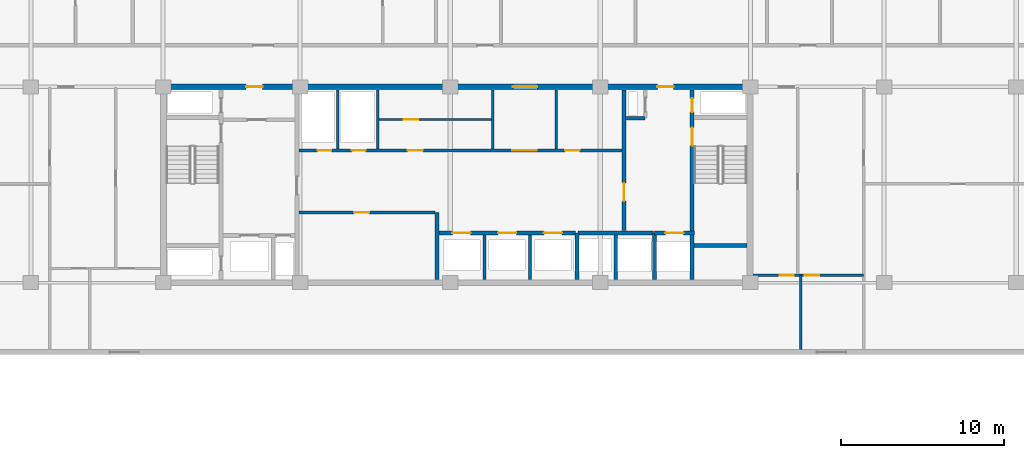
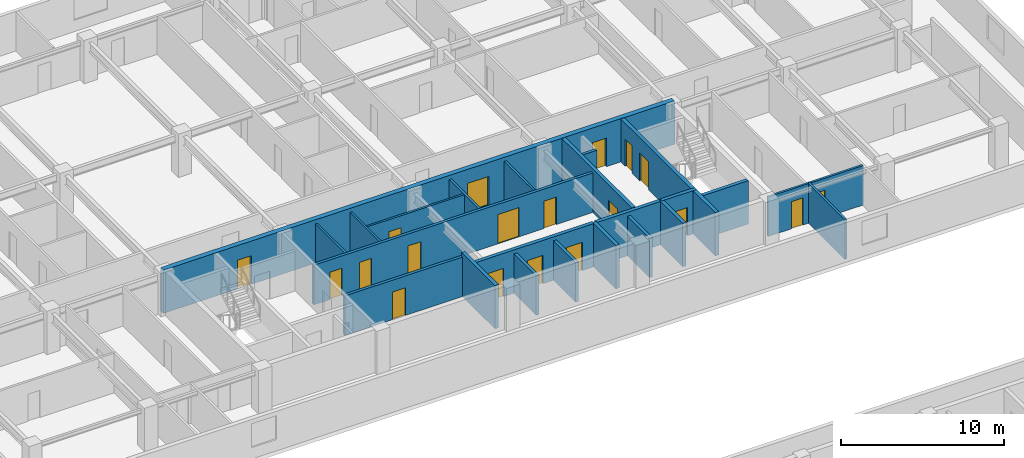
# One storey, part 12 of 22: 23 walls, 19 doors, 19 openings.
"""IFC4 building model written with IfcOpenShell, lengths in metres."""

from ifc_helpers import new_model, si_unit, direction, frame, frame_2d, origin, place, context, subcontext, project, spatial, rectangle, extrude, material, layer, layer_set, type_object, element, fill, save


model = new_model("IFC4")

# Units and contexts
model_context = context("Model", 3, precision=1e-05, world=origin(), true_north=direction((0.0, 1.0)))
body_context = subcontext(model_context, "Body", "Model", "MODEL_VIEW")
ifc_project = project(units=[si_unit("LENGTHUNIT", "METRE"), si_unit("AREAUNIT", "SQUARE_METRE"), si_unit("VOLUMEUNIT", "CUBIC_METRE"), si_unit("PLANEANGLEUNIT", "RADIAN"), si_unit("MASSUNIT", "GRAM", prefix="KILO")], contexts=[model_context])

# Site, building, storey
site_placement = place(None, origin())
site = spatial("IfcSite", under=ifc_project, at=site_placement, CompositionType="ELEMENT")
building_placement = place(site_placement, origin())
building = spatial("IfcBuilding", under=site, at=building_placement, Name="Korimba Cascade Residences", CompositionType="ELEMENT")
storey_placement = place(building_placement, frame((0.0, 0.0, 132.800048828125)))
storey = spatial("IfcBuildingStorey", under=building, at=storey_placement, Name="L38", CompositionType="ELEMENT", Elevation=132.800048828125)

# Wall, openings, doors
ifc_material_1 = material(Name="Concrete C65/80", Category="concrete")
ifc_layer_1 = layer(ifc_material_1, 0.35009765625)
ifc_layer_set_1 = layer_set([ifc_layer_1], Name="Concrete C65/80")
wall_type_1 = type_object("IfcWallType", Name="WAL-CORE-350", PredefinedType="SHEAR", material=ifc_layer_set_1)
wall_1_placement = place(storey_placement, frame((75.949951171875, 67.199951171875, 0.0), z_axis=(0.0, 0.0, 1.0), x_axis=(1.0, 0.0, 0.0)))
wall_1 = element("IfcWall", 1, at=wall_1_placement, inside=storey, type_object=wall_type_1, Name="L38 Core Shear Wall CW-L38-T1-N", PredefinedType="SHEAR", context=body_context, shape_type="SweptSolid", body=[
    extrude(rectangle(XDim=36.300048828125, YDim=0.35009765625, at=frame_2d((18.14990234375, 0.0))), origin(), (0.0, 0.0, 1.0), 3.25),
])
opening_1_placement = place(wall_1_placement, frame((5.25, 0.0, 0.0)))
opening_1 = element("IfcOpeningElement", 2, at=opening_1_placement, cuts=wall_1, Name="Opening D-FD5", PredefinedType="OPENING", context=body_context, shape_type="SweptSolid", body=[
    extrude(rectangle(XDim=1.0, YDim=2.14990234375, at=frame_2d((0.5, 1.074951171875))), frame((0.0, 0.18505859375, 0.0), z_axis=(0.0, -1.0, 0.0), x_axis=(1.0, 0.0, 0.0)), (0.0, 0.0, 1.0), 0.3701171875),
])
opening_2_placement = place(wall_1_placement, frame((21.60009765625, 0.0, 0.0)))
opening_2 = element("IfcOpeningElement", 3, at=opening_2_placement, cuts=wall_1, Name="Opening D-FD8", PredefinedType="OPENING", context=body_context, shape_type="SweptSolid", body=[
    extrude(rectangle(XDim=1.5, YDim=2.199951171875, at=frame_2d((0.75, 1.10009765625))), frame((0.0, 0.18505859375, 0.0), z_axis=(0.0, -1.0, 0.0), x_axis=(1.0, 0.0, 0.0)), (0.0, 0.0, 1.0), 0.3701171875),
])
opening_3_placement = place(wall_1_placement, frame((30.449951171875, 0.0, 0.0)))
opening_3 = element("IfcOpeningElement", 4, at=opening_3_placement, cuts=wall_1, Name="Opening D-FD5", PredefinedType="OPENING", context=body_context, shape_type="SweptSolid", body=[
    extrude(rectangle(XDim=1.0, YDim=2.14990234375, at=frame_2d((0.5, 1.074951171875))), frame((0.0, 0.18505859375, 0.0), z_axis=(0.0, -1.0, 0.0), x_axis=(1.0, 0.0, 0.0)), (0.0, 0.0, 1.0), 0.3701171875),
])
ifc_material_2 = material(Name="Fire-Rated Acoustic Timber Vestibule Door", Category="wood")
door_type_1 = type_object("IfcDoorType", Name="DR-FD90-1000", OperationType="NOTDEFINED", PredefinedType="DOOR", material=ifc_material_2)
door_1_placement = place(opening_1_placement, origin())
door_1 = element("IfcDoor", 5, at=door_1_placement, inside=storey, type_object=door_type_1, Name="L38 T1 West Core Vestibule Fire Door", OperationType="SINGLE_SWING_RIGHT", OverallHeight=2.14990234375, OverallWidth=1.0, PredefinedType="DOOR", context=body_context, shape_type="SweptSolid", body=[
    extrude(rectangle(XDim=1.0, YDim=2.14990234375, at=frame_2d((0.5, 1.074951171875))), frame((0.0, 0.02490234375, 0.0), z_axis=(0.0, -1.0, 0.0), x_axis=(1.0, 0.0, 0.0)), (0.0, 0.0, 1.0), 0.050048828125),
])
fill(opening_1, door_1)
door_2_placement = place(opening_3_placement, origin())
door_2 = element("IfcDoor", 6, at=door_2_placement, inside=storey, type_object=door_type_1, Name="L38 T1 East Firefighting Vestibule Fire Door", OperationType="SINGLE_SWING_LEFT", OverallHeight=2.14990234375, OverallWidth=1.0, PredefinedType="DOOR", context=body_context, shape_type="SweptSolid", body=[
    extrude(rectangle(XDim=1.0, YDim=2.14990234375, at=frame_2d((0.5, 1.074951171875))), frame((0.0, 0.02490234375, 0.0), z_axis=(0.0, -1.0, 0.0), x_axis=(1.0, 0.0, 0.0)), (0.0, 0.0, 1.0), 0.050048828125),
])
fill(opening_3, door_2)
ifc_material_3 = material(Name="Fire-Rated Glazed Lift Lobby Double Door", Category="glass")
door_type_2 = type_object("IfcDoorType", Name="DR-FD90-1500", OperationType="NOTDEFINED", PredefinedType="DOOR", material=ifc_material_3)
door_3_placement = place(opening_2_placement, origin())
door_3 = element("IfcDoor", 7, at=door_3_placement, inside=storey, type_object=door_type_2, Name="L38 T1 Lift Lobby Fire Door", OperationType="DOUBLE_DOOR_SINGLE_SWING", OverallHeight=2.199951171875, OverallWidth=1.5, PredefinedType="DOOR", context=body_context, shape_type="SweptSolid", body=[
    extrude(rectangle(XDim=1.5, YDim=2.199951171875, at=frame_2d((0.75, 1.10009765625))), frame((0.0, 0.02490234375, 0.0), z_axis=(0.0, -1.0, 0.0), x_axis=(1.0, 0.0, 0.0)), (0.0, 0.0, 1.0), 0.050048828125),
])
fill(opening_2, door_3)

# Walls
ifc_material_4 = material(Name="Insulated Acoustic Stud Partition", Category="gypsum")
ifc_layer_2 = layer(ifc_material_4, 0.14990234375)
ifc_layer_set_2 = layer_set([ifc_layer_2], Name="Insulated Acoustic Stud Partition")
wall_type_2 = type_object("IfcWallType", Name="WAL-PART-150", PredefinedType="PARTITIONING", material=ifc_layer_set_2)
for number, where, z_axis, x_axis, name in (
    (8, (86.800048828125, 63.39990234375, 0.0), (0.0, 0.0, 1.0), (0.0, 1.0, 0.0), "L38 Partition Wall CW-L38-T1-ERDIV"),
    (9, (89.25, 63.39990234375, 0.0), (0.0, 0.0, 1.0), (0.0, 1.0, 0.0), "L38 Partition Wall CW-L38-T1-PRDIV"),
):
    element("IfcWall", number, at=place(storey_placement, frame(where, z_axis=z_axis, x_axis=x_axis)), inside=storey, type_object=wall_type_2, Name=name, PredefinedType="PARTITIONING", context=body_context, shape_type="SweptSolid", body=[
        extrude(rectangle(XDim=3.60009765625, YDim=0.14990234375, at=frame_2d((1.800048828125, 0.0))), origin(), (0.0, 0.0, 1.0), 2.969970703125),
    ])

# Wall, opening, door
wall_2_placement = place(storey_placement, frame((89.25, 65.199951171875, 0.0), z_axis=(0.0, 0.0, 1.0), x_axis=(1.0, 0.0, 0.0)))
wall_2 = element("IfcWall", 10, at=wall_2_placement, inside=storey, type_object=wall_type_2, Name="L38 Partition Wall CW-L38-T1-CA2HZ", PredefinedType="PARTITIONING", context=body_context, shape_type="SweptSolid", body=[
    extrude(rectangle(XDim=7.050048828125, YDim=0.14990234375, at=frame_2d((3.52490234375, 0.0))), origin(), (0.0, 0.0, 1.0), 2.969970703125),
])
opening_4_placement = place(wall_2_placement, frame((1.60009765625, 0.0, 0.0)))
opening_4 = element("IfcOpeningElement", 11, at=opening_4_placement, cuts=wall_2, Name="Opening D-IN2", PredefinedType="OPENING", context=body_context, shape_type="SweptSolid", body=[
    extrude(rectangle(XDim=0.8798828125, YDim=2.06005859375, at=frame_2d((0.43994140625, 1.030029296875))), frame((0.0, 0.0849609375, 0.0), z_axis=(0.0, -1.0, 0.0), x_axis=(1.0, 0.0, 0.0)), (0.0, 0.0, 1.0), 0.169921875),
])
ifc_material_5 = material(Name="Acoustic Timber Bedroom Door", Category="wood")
door_type_3 = type_object("IfcDoorType", Name="DR-INT-880", OperationType="NOTDEFINED", PredefinedType="DOOR", material=ifc_material_5)
door_4_placement = place(opening_4_placement, origin())
door_4 = element("IfcDoor", 12, at=door_4_placement, inside=storey, type_object=door_type_3, Name="L38 Pram Store Door", OperationType="SINGLE_SWING_LEFT", OverallHeight=2.06005859375, OverallWidth=0.8798828125, PredefinedType="DOOR", context=body_context, shape_type="SweptSolid", body=[
    extrude(rectangle(XDim=0.8798828125, YDim=2.06005859375, at=frame_2d((0.43994140625, 1.030029296875))), frame((0.0, 0.02490234375, 0.0), z_axis=(0.0, -1.0, 0.0), x_axis=(1.0, 0.0, 0.0)), (0.0, 0.0, 1.0), 0.050048828125),
])
fill(opening_4, door_4)

# Walls
for number, where, z_axis, x_axis, name in (
    (13, (96.300048828125, 63.39990234375, 0.0), (0.0, 0.0, 1.0), (0.0, 1.0, 0.0), "L38 Partition Wall CW-L38-T1-THW"),
    (14, (100.199951171875, 63.39990234375, 0.0), (0.0, 0.0, 1.0), (0.0, 1.0, 0.0), "L38 Partition Wall CW-L38-T1-THE"),
):
    element("IfcWall", number, at=place(storey_placement, frame(where, z_axis=z_axis, x_axis=x_axis)), inside=storey, type_object=wall_type_2, Name=name, PredefinedType="PARTITIONING", context=body_context, shape_type="SweptSolid", body=[
        extrude(rectangle(XDim=3.60009765625, YDim=0.14990234375, at=frame_2d((1.800048828125, 0.0))), origin(), (0.0, 0.0, 1.0), 2.969970703125),
    ])
wall_3_placement = place(storey_placement, frame((115.199951171875, 51.10009765625, 0.0), z_axis=(0.0, 0.0, 1.0), x_axis=(0.0, 1.0, 0.0)))
element("IfcWall", 15, at=wall_3_placement, inside=storey, type_object=wall_type_2, Name="L38 Partition Wall WAL-L38-T1-FE-VS", PredefinedType="PARTITIONING", context=body_context, shape_type="SweptSolid", body=[
    extrude(rectangle(XDim=4.5498046875, YDim=0.14990234375, at=frame_2d((2.27490234375, 0.0))), origin(), (0.0, 0.0, 1.0), 2.969970703125),
])

# Wall, openings, doors
wall_4_placement = place(storey_placement, frame((112.27001953125, 55.64990234375, 0.0), z_axis=(0.0, 0.0, 1.0), x_axis=(1.0, 0.0, 0.0)))
wall_4 = element("IfcWall", 16, at=wall_4_placement, inside=storey, type_object=wall_type_2, Name="L38 Partition Wall WAL-L38-T1-FE-H", PredefinedType="PARTITIONING", context=body_context, shape_type="SweptSolid", body=[
    extrude(rectangle(XDim=6.760009765625, YDim=0.14990234375, at=frame_2d((3.3798828125, 0.0))), origin(), (0.0, 0.0, 1.0), 2.969970703125),
])
opening_5_placement = place(wall_4_placement, frame((1.6396484375, 0.0, 0.0)))
opening_5 = element("IfcOpeningElement", 17, at=opening_5_placement, cuts=wall_4, Name="Opening D-BT1", PredefinedType="OPENING", context=body_context, shape_type="SweptSolid", body=[
    extrude(rectangle(XDim=0.840087890625, YDim=2.0400390625, at=frame_2d((0.419921875, 1.02001953125))), frame((0.0, 0.0849609375, 0.0), z_axis=(0.0, -1.0, 0.0), x_axis=(1.0, 0.0, 0.0)), (0.0, 0.0, 1.0), 0.169921875),
])
opening_6_placement = place(wall_4_placement, frame((3.160400390625, 0.0, 0.0)))
opening_6 = element("IfcOpeningElement", 18, at=opening_6_placement, cuts=wall_4, Name="Opening D-IN2", PredefinedType="OPENING", context=body_context, shape_type="SweptSolid", body=[
    extrude(rectangle(XDim=0.8798828125, YDim=2.06005859375, at=frame_2d((0.43994140625, 1.030029296875))), frame((0.0, 0.0849609375, 0.0), z_axis=(0.0, -1.0, 0.0), x_axis=(1.0, 0.0, 0.0)), (0.0, 0.0, 1.0), 0.169921875),
])
ifc_material_6 = material(Name="Moisture-Resistant Bathroom Timber Door", Category="wood")
door_type_4 = type_object("IfcDoorType", Name="DR-INT-850", OperationType="NOTDEFINED", PredefinedType="DOOR", material=ifc_material_6)
door_5_placement = place(opening_5_placement, origin())
door_5 = element("IfcDoor", 19, at=door_5_placement, inside=storey, type_object=door_type_4, Name="L38-T1-FE Bathroom Door", OperationType="SINGLE_SWING_LEFT", OverallHeight=2.0400390625, OverallWidth=0.840087890625, PredefinedType="DOOR", context=body_context, shape_type="SweptSolid", body=[
    extrude(rectangle(XDim=0.840087890625, YDim=2.0400390625, at=frame_2d((0.419921875, 1.02001953125))), frame((0.0, 0.02490234375, 0.0), z_axis=(0.0, -1.0, 0.0), x_axis=(1.0, 0.0, 0.0)), (0.0, 0.0, 1.0), 0.050048828125),
])
fill(opening_5, door_5)
door_6_placement = place(opening_6_placement, origin())
door_6 = element("IfcDoor", 20, at=door_6_placement, inside=storey, type_object=door_type_3, Name="L38-T1-FE Bedroom Door", OperationType="SINGLE_SWING_RIGHT", OverallHeight=2.06005859375, OverallWidth=0.8798828125, PredefinedType="DOOR", context=body_context, shape_type="SweptSolid", body=[
    extrude(rectangle(XDim=0.8798828125, YDim=2.06005859375, at=frame_2d((0.43994140625, 1.030029296875))), frame((0.0, 0.02490234375, 0.0), z_axis=(0.0, -1.0, 0.0), x_axis=(1.0, 0.0, 0.0)), (0.0, 0.0, 1.0), 0.050048828125),
])
fill(opening_6, door_6)

# Wall, opening, door
ifc_material_7 = material(Name="Concrete C40/50", Category="concrete")
ifc_layer_3 = layer(ifc_material_7, 0.199951171875)
ifc_layer_set_3 = layer_set([ifc_layer_3], Name="Concrete C40/50")
wall_type_3 = type_object("IfcWallType", Name="WAL-PART-200", PredefinedType="PARTITIONING", material=ifc_layer_set_3)
wall_5_placement = place(storey_placement, frame((84.419921875, 59.5, 0.0), z_axis=(0.0, 0.0, 1.0), x_axis=(1.0, 0.0, 0.0)))
wall_5 = element("IfcWall", 21, at=wall_5_placement, inside=storey, type_object=wall_type_3, Name="L38 Partition Wall CW-L38-T1-B1RN", PredefinedType="PARTITIONING", context=body_context, shape_type="SweptSolid", body=[
    extrude(rectangle(XDim=8.360107421875, YDim=0.199951171875, at=frame_2d((4.18017578125, 0.0))), origin(), (0.0, 0.0, 1.0), 2.969970703125),
])
opening_7_placement = place(wall_5_placement, frame((3.39990234375, 0.0, 0.0)))
opening_7 = element("IfcOpeningElement", 22, at=opening_7_placement, cuts=wall_5, Name="Opening D-ST1", PredefinedType="OPENING", context=body_context, shape_type="SweptSolid", body=[
    extrude(rectangle(XDim=0.919921875, YDim=2.080078125, at=frame_2d((0.4599609375, 1.0400390625))), frame((0.0, 0.10986328125, 0.0), z_axis=(0.0, -1.0, 0.0), x_axis=(1.0, 0.0, 0.0)), (0.0, 0.0, 1.0), 0.219970703125),
])
ifc_material_8 = material(Name="Fire-Rated Core Store Door", Category="wood")
door_type_5 = type_object("IfcDoorType", Name="DR-FD60-920", OperationType="NOTDEFINED", PredefinedType="DOOR", material=ifc_material_8)
door_7_placement = place(opening_7_placement, origin())
door_7 = element("IfcDoor", 23, at=door_7_placement, inside=storey, type_object=door_type_5, Name="L38 Resident Storage Door", OperationType="SINGLE_SWING_RIGHT", OverallHeight=2.080078125, OverallWidth=0.919921875, PredefinedType="DOOR", context=body_context, shape_type="SweptSolid", body=[
    extrude(rectangle(XDim=0.919921875, YDim=2.080078125, at=frame_2d((0.4599609375, 1.0400390625))), frame((0.0, 0.02490234375, 0.0), z_axis=(0.0, -1.0, 0.0), x_axis=(1.0, 0.0, 0.0)), (0.0, 0.0, 1.0), 0.050048828125),
])
fill(opening_7, door_7)

# Walls
for number, where, z_axis, x_axis, name in (
    (24, (95.800048828125, 55.39990234375, 0.0), (0.0, 0.0, 1.0), (0.0, 1.0, 0.0), "L38 Partition Wall CW-L38-T1-B2D1"),
    (25, (98.60009765625, 55.39990234375, 0.0), (0.0, 0.0, 1.0), (0.0, 1.0, 0.0), "L38 Partition Wall CW-L38-T1-B2D2"),
    (26, (103.85009765625, 55.39990234375, 0.0), (0.0, 0.0, 1.0), (0.0, 1.0, 0.0), "L38 Partition Wall CW-L38-T1-B3D1"),
):
    element("IfcWall", number, at=place(storey_placement, frame(where, z_axis=z_axis, x_axis=x_axis)), inside=storey, type_object=wall_type_3, Name=name, PredefinedType="PARTITIONING", context=body_context, shape_type="SweptSolid", body=[
        extrude(rectangle(XDim=2.72021484375, YDim=0.199951171875, at=frame_2d((1.360107421875, 0.0))), origin(), (0.0, 0.0, 1.0), 2.969970703125),
    ])

# Wall, openings, doors
wall_6_placement = place(storey_placement, frame((84.419921875, 63.300048828125, 0.0), z_axis=(0.0, 0.0, 1.0), x_axis=(1.0, 0.0, 0.0)))
wall_6 = element("IfcWall", 27, at=wall_6_placement, inside=storey, type_object=wall_type_3, Name="L38 Partition Wall CW-L38-T1-SRVROW", PredefinedType="PARTITIONING", context=body_context, shape_type="SweptSolid", body=[
    extrude(rectangle(XDim=19.830078125, YDim=0.199951171875, at=frame_2d((9.9150390625, 0.0))), origin(), (0.0, 0.0, 1.0), 2.969970703125),
])
opening_8_placement = place(wall_6_placement, frame((1.14990234375, 0.0, 0.0)))
opening_8 = element("IfcOpeningElement", 28, at=opening_8_placement, cuts=wall_6, Name="Opening D-RS1", PredefinedType="OPENING", context=body_context, shape_type="SweptSolid", body=[
    extrude(rectangle(XDim=0.85009765625, YDim=2.050048828125, at=frame_2d((0.425048828125, 1.02490234375))), frame((0.0, 0.10986328125, 0.0), z_axis=(0.0, -1.0, 0.0), x_axis=(1.0, 0.0, 0.0)), (0.0, 0.0, 1.0), 0.219970703125),
])
opening_9_placement = place(wall_6_placement, frame((3.25, 0.0, 0.0)))
opening_9 = element("IfcOpeningElement", 29, at=opening_9_placement, cuts=wall_6, Name="Opening D-RS1", PredefinedType="OPENING", context=body_context, shape_type="SweptSolid", body=[
    extrude(rectangle(XDim=0.85009765625, YDim=2.050048828125, at=frame_2d((0.425048828125, 1.02490234375))), frame((0.0, 0.10986328125, 0.0), z_axis=(0.0, -1.0, 0.0), x_axis=(1.0, 0.0, 0.0)), (0.0, 0.0, 1.0), 0.219970703125),
])
opening_10_placement = place(wall_6_placement, frame((13.080078125, 0.0, 0.0)))
opening_10 = element("IfcOpeningElement", 30, at=opening_10_placement, cuts=wall_6, Name="Opening D-FD8", PredefinedType="OPENING", context=body_context, shape_type="SweptSolid", body=[
    extrude(rectangle(XDim=1.5, YDim=2.199951171875, at=frame_2d((0.75, 1.10009765625))), frame((0.0, 0.10986328125, 0.0), z_axis=(0.0, -1.0, 0.0), x_axis=(1.0, 0.0, 0.0)), (0.0, 0.0, 1.0), 0.219970703125),
])
opening_11_placement = place(wall_6_placement, frame((6.679931640625, 0.0, 0.0)))
opening_11 = element("IfcOpeningElement", 31, at=opening_11_placement, cuts=wall_6, Name="Opening D-IN1", PredefinedType="OPENING", context=body_context, shape_type="SweptSolid", body=[
    extrude(rectangle(XDim=0.919921875, YDim=2.080078125, at=frame_2d((0.4599609375, 1.0400390625))), frame((0.0, 0.10986328125, 0.0), z_axis=(0.0, -1.0, 0.0), x_axis=(1.0, 0.0, 0.0)), (0.0, 0.0, 1.0), 0.219970703125),
])
opening_12_placement = place(wall_6_placement, frame((16.330078125, 0.0, 0.0)))
opening_12 = element("IfcOpeningElement", 32, at=opening_12_placement, cuts=wall_6, Name="Opening D-IN2", PredefinedType="OPENING", context=body_context, shape_type="SweptSolid", body=[
    extrude(rectangle(XDim=0.8798828125, YDim=2.06005859375, at=frame_2d((0.43994140625, 1.030029296875))), frame((0.0, 0.10986328125, 0.0), z_axis=(0.0, -1.0, 0.0), x_axis=(1.0, 0.0, 0.0)), (0.0, 0.0, 1.0), 0.219970703125),
])
ifc_material_9 = material(Name="Fire-Rated Steel Riser Access Door", Category="steel")
door_type_6 = type_object("IfcDoorType", Name="DR-FD60-850", OperationType="NOTDEFINED", PredefinedType="DOOR", material=ifc_material_9)
door_8_placement = place(opening_8_placement, origin())
door_8 = element("IfcDoor", 33, at=door_8_placement, inside=storey, type_object=door_type_6, Name="L38 Electrical Riser Door", OperationType="SINGLE_SWING_RIGHT", OverallHeight=2.050048828125, OverallWidth=0.85009765625, PredefinedType="DOOR", context=body_context, shape_type="SweptSolid", body=[
    extrude(rectangle(XDim=0.85009765625, YDim=2.050048828125, at=frame_2d((0.425048828125, 1.02490234375))), frame((0.0, 0.02490234375, 0.0), z_axis=(0.0, -1.0, 0.0), x_axis=(1.0, 0.0, 0.0)), (0.0, 0.0, 1.0), 0.050048828125),
])
fill(opening_8, door_8)
door_9_placement = place(opening_9_placement, origin())
door_9 = element("IfcDoor", 34, at=door_9_placement, inside=storey, type_object=door_type_6, Name="L38 Plumbing Riser Door", OperationType="SINGLE_SWING_LEFT", OverallHeight=2.050048828125, OverallWidth=0.85009765625, PredefinedType="DOOR", context=body_context, shape_type="SweptSolid", body=[
    extrude(rectangle(XDim=0.85009765625, YDim=2.050048828125, at=frame_2d((0.425048828125, 1.02490234375))), frame((0.0, 0.02490234375, 0.0), z_axis=(0.0, -1.0, 0.0), x_axis=(1.0, 0.0, 0.0)), (0.0, 0.0, 1.0), 0.050048828125),
])
fill(opening_9, door_9)
door_10_placement = place(opening_10_placement, origin())
door_10 = element("IfcDoor", 35, at=door_10_placement, inside=storey, type_object=door_type_2, Name="L38 Lift Lobby Foyer Archway Door", OperationType="DOUBLE_DOOR_SINGLE_SWING", OverallHeight=2.199951171875, OverallWidth=1.5, PredefinedType="DOOR", context=body_context, shape_type="SweptSolid", body=[
    extrude(rectangle(XDim=1.5, YDim=2.199951171875, at=frame_2d((0.75, 1.10009765625))), frame((0.0, 0.02490234375, 0.0), z_axis=(0.0, -1.0, 0.0), x_axis=(1.0, 0.0, 0.0)), (0.0, 0.0, 1.0), 0.050048828125),
])
fill(opening_10, door_10)
door_11_placement = place(opening_12_placement, origin())
door_11 = element("IfcDoor", 36, at=door_11_placement, inside=storey, type_object=door_type_3, Name="L38 Staff WC Door", OperationType="SINGLE_SWING_LEFT", OverallHeight=2.06005859375, OverallWidth=0.8798828125, PredefinedType="DOOR", context=body_context, shape_type="SweptSolid", body=[
    extrude(rectangle(XDim=0.8798828125, YDim=2.06005859375, at=frame_2d((0.43994140625, 1.030029296875))), frame((0.0, 0.02490234375, 0.0), z_axis=(0.0, -1.0, 0.0), x_axis=(1.0, 0.0, 0.0)), (0.0, 0.0, 1.0), 0.050048828125),
])
fill(opening_12, door_11)
ifc_material_10 = material(Name="Acoustic Timber Living Door", Category="wood")
door_type_7 = type_object("IfcDoorType", Name="DR-INT-920", OperationType="NOTDEFINED", PredefinedType="DOOR", material=ifc_material_10)
door_12_placement = place(opening_11_placement, origin())
door_12 = element("IfcDoor", 37, at=door_12_placement, inside=storey, type_object=door_type_7, Name="L38 Locker Room Door", OperationType="SINGLE_SWING_RIGHT", OverallHeight=2.080078125, OverallWidth=0.919921875, PredefinedType="DOOR", context=body_context, shape_type="SweptSolid", body=[
    extrude(rectangle(XDim=0.919921875, YDim=2.080078125, at=frame_2d((0.4599609375, 1.0400390625))), frame((0.0, 0.02490234375, 0.0), z_axis=(0.0, -1.0, 0.0), x_axis=(1.0, 0.0, 0.0)), (0.0, 0.0, 1.0), 0.050048828125),
])
fill(opening_11, door_12)

# Walls
wall_7_placement = place(storey_placement, frame((104.449951171875, 65.280029296875, 0.0), z_axis=(0.0, 0.0, 1.0), x_axis=(1.0, 0.0, 0.0)))
element("IfcWall", 38, at=wall_7_placement, inside=storey, type_object=wall_type_3, Name="L38 Partition Wall CW-L38-T1-HYDW2S", PredefinedType="PARTITIONING", context=body_context, shape_type="SweptSolid", body=[
    extrude(rectangle(XDim=1.199951171875, YDim=0.199951171875, at=frame_2d((0.60009765625, 0.0))), origin(), (0.0, 0.0, 1.0), 2.969970703125),
])
ifc_material_11 = material(Name="Concrete C50/60", Category="concrete")
ifc_layer_4 = layer(ifc_material_11, 0.25)
ifc_layer_set_4 = layer_set([ifc_layer_4], Name="Concrete C50/60")
wall_type_4 = type_object("IfcWallType", Name="WAL-SHAFT-250", PredefinedType="SHEAR", material=ifc_layer_set_4)
wall_8_placement = place(storey_placement, frame((92.89990234375, 55.39990234375, 0.0), z_axis=(0.0, 0.0, 1.0), x_axis=(0.0, 1.0, 0.0)))
element("IfcWall", 39, at=wall_8_placement, inside=storey, type_object=wall_type_4, Name="L38 Core Shear Wall CW-L38-T1-B12DIV", PredefinedType="SHEAR", context=body_context, shape_type="SweptSolid", body=[
    extrude(rectangle(XDim=4.10009765625, YDim=0.25, at=frame_2d((2.050048828125, 0.0))), origin(), (0.0, 0.0, 1.0), 3.25),
])

# Wall, openings, doors
wall_9_placement = place(storey_placement, frame((93.02001953125, 58.25, 0.0), z_axis=(0.0, 0.0, 1.0), x_axis=(1.0, 0.0, 0.0)))
wall_9 = element("IfcWall", 40, at=wall_9_placement, inside=storey, type_object=wall_type_4, Name="L38 Core Shear Wall CW-L38-T1-B2N", PredefinedType="SHEAR", context=body_context, shape_type="SweptSolid", body=[
    extrude(rectangle(XDim=8.35986328125, YDim=0.25, at=frame_2d((4.179931640625, 0.0))), origin(), (0.0, 0.0, 1.0), 3.25),
])
opening_13_placement = place(wall_9_placement, frame((0.820068359375, 0.0, 0.0)))
opening_13 = element("IfcOpeningElement", 41, at=opening_13_placement, cuts=wall_9, Name="Opening LD-01", PredefinedType="OPENING", context=body_context, shape_type="SweptSolid", body=[
    extrude(rectangle(XDim=1.1201171875, YDim=2.1201171875, at=frame_2d((0.56005859375, 1.06005859375))), frame((0.0, 0.135009765625, 0.0), z_axis=(0.0, -1.0, 0.0), x_axis=(1.0, 0.0, 0.0)), (0.0, 0.0, 1.0), 0.27001953125),
])
opening_14_placement = place(wall_9_placement, frame((3.6201171875, 0.0, 0.0)))
opening_14 = element("IfcOpeningElement", 42, at=opening_14_placement, cuts=wall_9, Name="Opening LD-01", PredefinedType="OPENING", context=body_context, shape_type="SweptSolid", body=[
    extrude(rectangle(XDim=1.1201171875, YDim=2.1201171875, at=frame_2d((0.56005859375, 1.06005859375))), frame((0.0, 0.135009765625, 0.0), z_axis=(0.0, -1.0, 0.0), x_axis=(1.0, 0.0, 0.0)), (0.0, 0.0, 1.0), 0.27001953125),
])
opening_15_placement = place(wall_9_placement, frame((6.419921875, 0.0, 0.0)))
opening_15 = element("IfcOpeningElement", 43, at=opening_15_placement, cuts=wall_9, Name="Opening LD-01", PredefinedType="OPENING", context=body_context, shape_type="SweptSolid", body=[
    extrude(rectangle(XDim=1.1201171875, YDim=2.1201171875, at=frame_2d((0.56005859375, 1.06005859375))), frame((0.0, 0.135009765625, 0.0), z_axis=(0.0, -1.0, 0.0), x_axis=(1.0, 0.0, 0.0)), (0.0, 0.0, 1.0), 0.27001953125),
])
ifc_material_12 = material(Name="Stainless Steel Lift Landing Sliding Door", Category="steel")
door_type_8 = type_object("IfcDoorType", Name="DR-LIFT-1100", OperationType="NOTDEFINED", PredefinedType="DOOR", material=ifc_material_12)
door_13_placement = place(opening_13_placement, origin())
door_13 = element("IfcDoor", 44, at=door_13_placement, inside=storey, type_object=door_type_8, Name="L38 Lift Landing Door PL-W4", OperationType="SLIDING_TO_RIGHT", OverallHeight=2.1201171875, OverallWidth=1.1201171875, PredefinedType="DOOR", context=body_context, shape_type="SweptSolid", body=[
    extrude(rectangle(XDim=1.1201171875, YDim=2.1201171875, at=frame_2d((0.56005859375, 1.06005859375))), frame((0.0, 0.02490234375, 0.0), z_axis=(0.0, -1.0, 0.0), x_axis=(1.0, 0.0, 0.0)), (0.0, 0.0, 1.0), 0.050048828125),
])
fill(opening_13, door_13)
door_14_placement = place(opening_14_placement, origin())
door_14 = element("IfcDoor", 45, at=door_14_placement, inside=storey, type_object=door_type_8, Name="L38 Lift Landing Door PL-W5", OperationType="SLIDING_TO_RIGHT", OverallHeight=2.1201171875, OverallWidth=1.1201171875, PredefinedType="DOOR", context=body_context, shape_type="SweptSolid", body=[
    extrude(rectangle(XDim=1.1201171875, YDim=2.1201171875, at=frame_2d((0.56005859375, 1.06005859375))), frame((0.0, 0.02490234375, 0.0), z_axis=(0.0, -1.0, 0.0), x_axis=(1.0, 0.0, 0.0)), (0.0, 0.0, 1.0), 0.050048828125),
])
fill(opening_14, door_14)
door_15_placement = place(opening_15_placement, origin())
door_15 = element("IfcDoor", 46, at=door_15_placement, inside=storey, type_object=door_type_8, Name="L38 Lift Landing Door PL-W6", OperationType="SLIDING_TO_RIGHT", OverallHeight=2.1201171875, OverallWidth=1.1201171875, PredefinedType="DOOR", context=body_context, shape_type="SweptSolid", body=[
    extrude(rectangle(XDim=1.1201171875, YDim=2.1201171875, at=frame_2d((0.56005859375, 1.06005859375))), frame((0.0, 0.02490234375, 0.0), z_axis=(0.0, -1.0, 0.0), x_axis=(1.0, 0.0, 0.0)), (0.0, 0.0, 1.0), 0.050048828125),
])
fill(opening_15, door_15)

# Walls
wall_10_placement = place(storey_placement, frame((101.47998046875, 55.39990234375, 0.0), z_axis=(0.0, 0.0, 1.0), x_axis=(0.0, 1.0, 0.0)))
element("IfcWall", 47, at=wall_10_placement, inside=storey, type_object=wall_type_4, Name="L38 Core Shear Wall CW-L38-T1-B23DIV", PredefinedType="SHEAR", context=body_context, shape_type="SweptSolid", body=[
    extrude(rectangle(XDim=2.85009765625, YDim=0.25, at=frame_2d((1.425048828125, 0.0))), origin(), (0.0, 0.0, 1.0), 3.25),
])
wall_11_placement = place(storey_placement, frame((101.550048828125, 58.25, 0.0), z_axis=(0.0, 0.0, 1.0), x_axis=(1.0, 0.0, 0.0)))
element("IfcWall", 48, at=wall_11_placement, inside=storey, type_object=wall_type_4, Name="L38 Core Shear Wall CW-L38-T1-B3N", PredefinedType="SHEAR", context=body_context, shape_type="SweptSolid", body=[
    extrude(rectangle(XDim=4.599853515625, YDim=0.25, at=frame_2d((2.2998046875, 0.0))), origin(), (0.0, 0.0, 1.0), 3.25),
])
wall_12_placement = place(storey_placement, frame((106.219970703125, 55.39990234375, 0.0), z_axis=(0.0, 0.0, 1.0), x_axis=(0.0, 1.0, 0.0)))
element("IfcWall", 49, at=wall_12_placement, inside=storey, type_object=wall_type_4, Name="L38 Core Shear Wall CW-L38-T1-FF2W", PredefinedType="SHEAR", context=body_context, shape_type="SweptSolid", body=[
    extrude(rectangle(XDim=2.85009765625, YDim=0.25, at=frame_2d((1.425048828125, 0.0))), origin(), (0.0, 0.0, 1.0), 3.25),
])

# Wall, opening, door
wall_13_placement = place(storey_placement, frame((106.219970703125, 58.25, 0.0), z_axis=(0.0, 0.0, 1.0), x_axis=(1.0, 0.0, 0.0)))
wall_13 = element("IfcWall", 50, at=wall_13_placement, inside=storey, type_object=wall_type_4, Name="L38 Core Shear Wall CW-L38-T1-FF2N", PredefinedType="SHEAR", context=body_context, shape_type="SweptSolid", body=[
    extrude(rectangle(XDim=2.4599609375, YDim=0.25, at=frame_2d((1.22998046875, 0.0))), origin(), (0.0, 0.0, 1.0), 3.25),
])
opening_16_placement = place(wall_13_placement, frame((0.669921875, 0.0, 0.0)))
opening_16 = element("IfcOpeningElement", 51, at=opening_16_placement, cuts=wall_13, Name="Opening LD-01", PredefinedType="OPENING", context=body_context, shape_type="SweptSolid", body=[
    extrude(rectangle(XDim=1.1201171875, YDim=2.1201171875, at=frame_2d((0.56005859375, 1.06005859375))), frame((0.0, 0.135009765625, 0.0), z_axis=(0.0, -1.0, 0.0), x_axis=(1.0, 0.0, 0.0)), (0.0, 0.0, 1.0), 0.27001953125),
])
door_16_placement = place(opening_16_placement, origin())
door_16 = element("IfcDoor", 52, at=door_16_placement, inside=storey, type_object=door_type_8, Name="L38 Firefighting Lift Landing Door FFL-W2", OperationType="SLIDING_TO_RIGHT", OverallHeight=2.1201171875, OverallWidth=1.1201171875, PredefinedType="DOOR", context=body_context, shape_type="SweptSolid", body=[
    extrude(rectangle(XDim=1.1201171875, YDim=2.1201171875, at=frame_2d((0.56005859375, 1.06005859375))), frame((0.0, 0.02490234375, 0.0), z_axis=(0.0, -1.0, 0.0), x_axis=(1.0, 0.0, 0.0)), (0.0, 0.0, 1.0), 0.050048828125),
])
fill(opening_16, door_16)

wall_14_placement = place(storey_placement, frame((104.35009765625, 58.39990234375, 0.0), z_axis=(0.0, 0.0, 1.0), x_axis=(0.0, 1.0, 0.0)))
wall_14 = element("IfcWall", 53, at=wall_14_placement, inside=storey, type_object=wall_type_4, Name="L38 Core Shear Wall CW-L38-T1-LLEV", PredefinedType="SHEAR", context=body_context, shape_type="SweptSolid", body=[
    extrude(rectangle(XDim=8.60009765625, YDim=0.25, at=frame_2d((4.300048828125, 0.0))), origin(), (0.0, 0.0, 1.0), 3.25),
])
opening_17_placement = place(wall_14_placement, frame((1.800048828125, 0.0, 0.0)))
opening_17 = element("IfcOpeningElement", 54, at=opening_17_placement, cuts=wall_14, Name="Opening D-FD1", PredefinedType="OPENING", context=body_context, shape_type="SweptSolid", body=[
    extrude(rectangle(XDim=1.10009765625, YDim=2.10009765625, at=frame_2d((0.550048828125, 1.050048828125))), frame((0.0, 0.135009765625, 0.0), z_axis=(0.0, -1.0, 0.0), x_axis=(1.0, 0.0, 0.0)), (0.0, 0.0, 1.0), 0.27001953125),
])
ifc_material_13 = material(Name="Fire-Rated Steel Core Door", Category="steel")
door_type_9 = type_object("IfcDoorType", Name="DR-FD120-1100", OperationType="NOTDEFINED", PredefinedType="DOOR", material=ifc_material_13)
door_17_placement = place(opening_17_placement, origin())
door_17 = element("IfcDoor", 55, at=door_17_placement, inside=storey, type_object=door_type_9, Name="L38 Lift Lobby to East Firefighting Lobby Door", OperationType="SINGLE_SWING_LEFT", OverallHeight=2.10009765625, OverallWidth=1.10009765625, PredefinedType="DOOR", context=body_context, shape_type="SweptSolid", body=[
    extrude(rectangle(XDim=1.10009765625, YDim=2.10009765625, at=frame_2d((0.550048828125, 1.050048828125))), frame((0.0, 0.02490234375, 0.0), z_axis=(0.0, -1.0, 0.0), x_axis=(1.0, 0.0, 0.0)), (0.0, 0.0, 1.0), 0.050048828125),
])
fill(opening_17, door_17)

# Wall, openings, doors
wall_15_placement = place(storey_placement, frame((108.534912109375, 55.39990234375, 0.0), z_axis=(0.0, 0.0, 1.0), x_axis=(0.0, 1.0, 0.0)))
wall_15 = element("IfcWall", 56, at=wall_15_placement, inside=storey, type_object=wall_type_4, Name="L38 Core Shear Wall CW-L38-T1-STW2W", PredefinedType="SHEAR", context=body_context, shape_type="SweptSolid", body=[
    extrude(rectangle(XDim=11.60009765625, YDim=0.25, at=frame_2d((5.800048828125, 0.0))), origin(), (0.0, 0.0, 1.0), 3.25),
])
opening_18_placement = place(wall_15_placement, frame((8.199951171875, 0.0, 0.0)))
opening_18 = element("IfcOpeningElement", 57, at=opening_18_placement, cuts=wall_15, Name="Opening D-FD1", PredefinedType="OPENING", context=body_context, shape_type="SweptSolid", body=[
    extrude(rectangle(XDim=1.10009765625, YDim=2.10009765625, at=frame_2d((0.550048828125, 1.050048828125))), frame((0.0, 0.135009765625, 0.0), z_axis=(0.0, -1.0, 0.0), x_axis=(1.0, 0.0, 0.0)), (0.0, 0.0, 1.0), 0.27001953125),
])
opening_19_placement = place(wall_15_placement, frame((10.25, 0.0, 0.0)))
opening_19 = element("IfcOpeningElement", 58, at=opening_19_placement, cuts=wall_15, Name="Opening D-RS1", PredefinedType="OPENING", context=body_context, shape_type="SweptSolid", body=[
    extrude(rectangle(XDim=0.85009765625, YDim=2.050048828125, at=frame_2d((0.425048828125, 1.02490234375))), frame((0.0, 0.135009765625, 0.0), z_axis=(0.0, -1.0, 0.0), x_axis=(1.0, 0.0, 0.0)), (0.0, 0.0, 1.0), 0.27001953125),
])
door_18_placement = place(opening_18_placement, origin())
door_18 = element("IfcDoor", 59, at=door_18_placement, inside=storey, type_object=door_type_9, Name="L38 Fire Stair ST-W2 Door", OperationType="SINGLE_SWING_RIGHT", OverallHeight=2.10009765625, OverallWidth=1.10009765625, PredefinedType="DOOR", context=body_context, shape_type="SweptSolid", body=[
    extrude(rectangle(XDim=1.10009765625, YDim=2.10009765625, at=frame_2d((0.550048828125, 1.050048828125))), frame((0.0, 0.02490234375, 0.0), z_axis=(0.0, -1.0, 0.0), x_axis=(1.0, 0.0, 0.0)), (0.0, 0.0, 1.0), 0.050048828125),
])
fill(opening_18, door_18)
door_19_placement = place(opening_19_placement, origin())
door_19 = element("IfcDoor", 60, at=door_19_placement, inside=storey, type_object=door_type_6, Name="L38 East Riser Door", OperationType="SINGLE_SWING_LEFT", OverallHeight=2.050048828125, OverallWidth=0.85009765625, PredefinedType="DOOR", context=body_context, shape_type="SweptSolid", body=[
    extrude(rectangle(XDim=0.85009765625, YDim=2.050048828125, at=frame_2d((0.425048828125, 1.02490234375))), frame((0.0, 0.02490234375, 0.0), z_axis=(0.0, -1.0, 0.0), x_axis=(1.0, 0.0, 0.0)), (0.0, 0.0, 1.0), 0.050048828125),
])
fill(opening_19, door_19)

# Wall
wall_16_placement = place(storey_placement, frame((108.659912109375, 57.47509765625, 0.0), z_axis=(0.0, 0.0, 1.0), x_axis=(1.0, 0.0, 0.0)))
element("IfcWall", 61, at=wall_16_placement, inside=storey, type_object=wall_type_4, Name="L38 Core Shear Wall CW-L38-T1-STW2S", PredefinedType="SHEAR", context=body_context, shape_type="SweptSolid", body=[
    extrude(rectangle(XDim=3.239990234375, YDim=0.25, at=frame_2d((1.6201171875, 0.0))), origin(), (0.0, 0.0, 1.0), 3.25),
])

save(model, "model.ifc")
